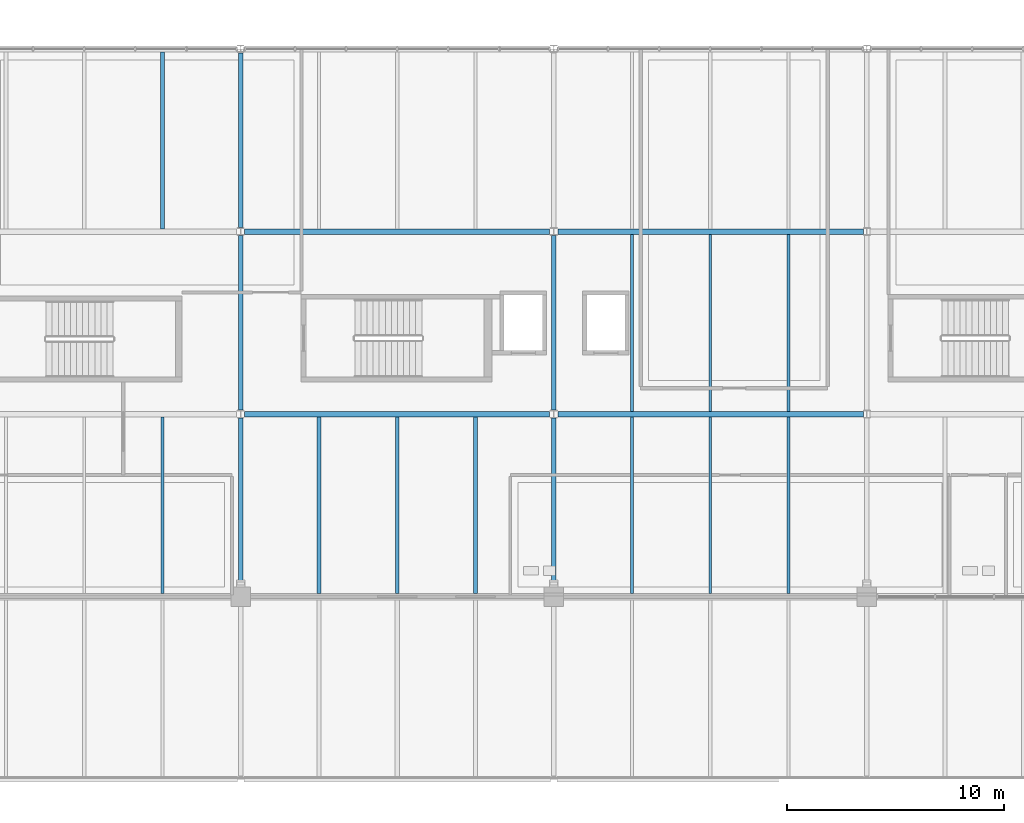
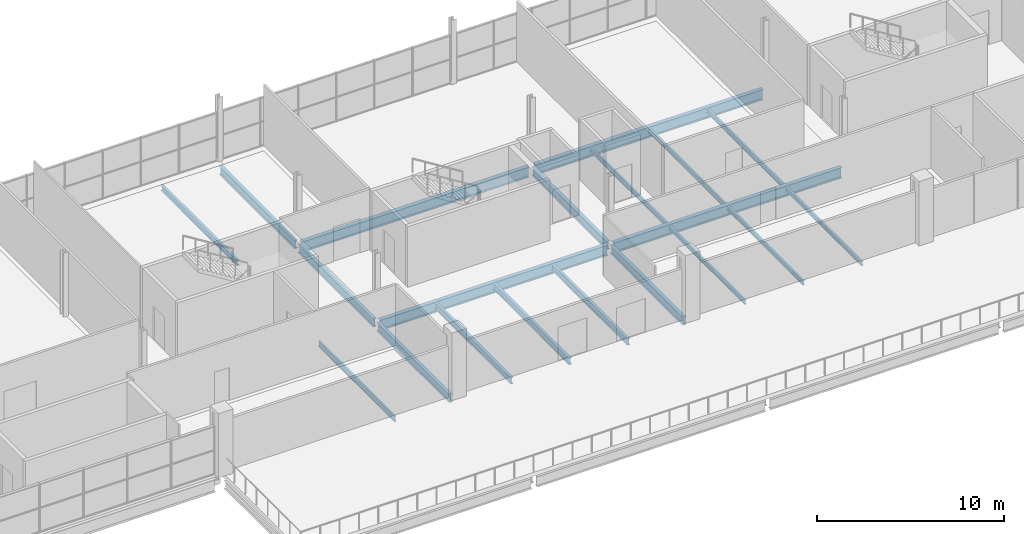
# One storey, part 50 of 93: 20 beams.
"""IFC4 building model written with IfcOpenShell, lengths in metres."""

from ifc_helpers import new_model, si_unit, direction, frame, origin, origin_2d, place, context, subcontext, project, spatial, i_section, extrude, material, material_profile, profile_set, type_object, element, save


model = new_model("IFC4")

# Units and contexts
model_context = context("Model", 3, precision=1e-05, world=origin(), true_north=direction((0.0, 1.0)))
body_context = subcontext(model_context, "Body", "Model", "MODEL_VIEW")
ifc_project = project(units=[si_unit("LENGTHUNIT", "METRE"), si_unit("AREAUNIT", "SQUARE_METRE"), si_unit("VOLUMEUNIT", "CUBIC_METRE"), si_unit("PLANEANGLEUNIT", "RADIAN"), si_unit("MASSUNIT", "GRAM", prefix="KILO"), si_unit("THERMODYNAMICTEMPERATUREUNIT", "KELVIN")], contexts=[model_context])

# Site, building, storey
site_placement = place(None, origin())
site = spatial("IfcSite", under=ifc_project, at=site_placement, CompositionType="ELEMENT")
building_placement = place(site_placement, origin())
building = spatial("IfcBuilding", under=site, at=building_placement, Name="Nduvali Passage Aquatics Centre", CompositionType="ELEMENT")
storey_placement = place(building_placement, frame((0.0, 0.0, 9.0)))
storey = spatial("IfcBuildingStorey", under=building, at=storey_placement, Name="L02", CompositionType="ELEMENT", Elevation=9.0)

# Beams
ifc_material = material(Name="Steel S355", Category="steel")
ifc_material_profile_1 = material_profile(ifc_material, i_section(OverallWidth=0.210693359375, OverallDepth=0.53955078125, WebThickness=0.01171875, FlangeThickness=0.018798828125, FilletRadius=0.0126953125, at=origin_2d()), Name="UKB 533x210x109")
ifc_profile_set_1 = profile_set([ifc_material_profile_1], Name="Steel S355")
beam_type_1 = type_object("IfcBeamType", Name="STR-BM-UKB533", PredefinedType="BEAM", material=ifc_profile_set_1)
beam_1_placement = place(storey_placement, frame((68.39990234375, 92.85009765625, -0.53369140625), z_axis=(0.0, 1.0, 0.0), x_axis=(-1.0, 0.0, 0.0)))
element("IfcBeam", 1, at=beam_1_placement, inside=storey, type_object=beam_type_1, Name="L02 Primary Y-Girder B6-0985", PredefinedType="BEAM", context=body_context, shape_type="SweptSolid", body=[
    extrude(i_section(OverallWidth=0.210693359375, OverallDepth=0.53955078125, WebThickness=0.01171875, FlangeThickness=0.018798828125, FilletRadius=0.0126953125, at=origin_2d()), origin(), (0.0, 0.0, 1.0), 7.768798828125),
])
beam_2_placement = place(storey_placement, frame((68.39990234375, 100.98095703125, -0.53369140625), z_axis=(0.0, 1.0, 0.0), x_axis=(-1.0, 0.0, 0.0)))
element("IfcBeam", 2, at=beam_2_placement, inside=storey, type_object=beam_type_1, Name="L02 Primary Y-Girder B6-0986", PredefinedType="BEAM", context=body_context, shape_type="SweptSolid", body=[
    extrude(i_section(OverallWidth=0.210693359375, OverallDepth=0.53955078125, WebThickness=0.01171875, FlangeThickness=0.018798828125, FilletRadius=0.0126953125, at=origin_2d()), origin(), (0.0, 0.0, 1.0), 8.0380859375),
])
beam_3_placement = place(storey_placement, frame((68.39990234375, 109.381103515625, -0.53369140625), z_axis=(0.0, 1.0, 0.0), x_axis=(-1.0, 0.0, 0.0)))
element("IfcBeam", 3, at=beam_3_placement, inside=storey, type_object=beam_type_1, Name="L02 Primary Y-Girder B6-0987", PredefinedType="BEAM", context=body_context, shape_type="SweptSolid", body=[
    extrude(i_section(OverallWidth=0.210693359375, OverallDepth=0.53955078125, WebThickness=0.01171875, FlangeThickness=0.018798828125, FilletRadius=0.0126953125, at=origin_2d()), origin(), (0.0, 0.0, 1.0), 8.037841796875),
])
beam_4_placement = place(storey_placement, frame((82.800048828125, 92.85009765625, -0.53369140625), z_axis=(0.0, 1.0, 0.0), x_axis=(-1.0, 0.0, 0.0)))
element("IfcBeam", 4, at=beam_4_placement, inside=storey, type_object=beam_type_1, Name="L02 Primary Y-Girder B6-0990", PredefinedType="BEAM", context=body_context, shape_type="SweptSolid", body=[
    extrude(i_section(OverallWidth=0.210693359375, OverallDepth=0.53955078125, WebThickness=0.01171875, FlangeThickness=0.018798828125, FilletRadius=0.0126953125, at=origin_2d()), origin(), (0.0, 0.0, 1.0), 7.768798828125),
])
beam_5_placement = place(storey_placement, frame((82.800048828125, 100.98095703125, -0.53369140625), z_axis=(0.0, 1.0, 0.0), x_axis=(-1.0, 0.0, 0.0)))
element("IfcBeam", 5, at=beam_5_placement, inside=storey, type_object=beam_type_1, Name="L02 Primary Y-Girder B6-0991", PredefinedType="BEAM", context=body_context, shape_type="SweptSolid", body=[
    extrude(i_section(OverallWidth=0.210693359375, OverallDepth=0.53955078125, WebThickness=0.01171875, FlangeThickness=0.018798828125, FilletRadius=0.0126953125, at=origin_2d()), origin(), (0.0, 0.0, 1.0), 8.0380859375),
])
ifc_material_profile_2 = material_profile(ifc_material, i_section(OverallWidth=0.253662109375, OverallDepth=0.68359375, WebThickness=0.012451171875, FlangeThickness=0.01904296875, FilletRadius=0.01513671875, at=origin_2d()), Name="UKB 686x254x140")
ifc_profile_set_2 = profile_set([ifc_material_profile_2], Name="Steel S355")
beam_type_2 = type_object("IfcBeamType", Name="STR-BM-UKB686", PredefinedType="BEAM", material=ifc_profile_set_2)
beam_6_placement = place(storey_placement, frame((68.585205078125, 100.800048828125, -0.605712890625), z_axis=(1.0, 0.0, 0.0), x_axis=(0.0, 1.0, 0.0)))
element("IfcBeam", 6, at=beam_6_placement, inside=storey, type_object=beam_type_2, Name="L02 Primary X-Girder B4-0934", PredefinedType="BEAM", context=body_context, shape_type="SweptSolid", body=[
    extrude(i_section(OverallWidth=0.253662109375, OverallDepth=0.68359375, WebThickness=0.012451171875, FlangeThickness=0.01904296875, FilletRadius=0.01513671875, at=origin_2d()), origin(), (0.0, 0.0, 1.0), 14.029541015625),
])
beam_7_placement = place(storey_placement, frame((82.985107421875, 100.800048828125, -0.605712890625), z_axis=(1.0, 0.0, 0.0), x_axis=(0.0, 1.0, 0.0)))
element("IfcBeam", 7, at=beam_7_placement, inside=storey, type_object=beam_type_2, Name="L02 Primary X-Girder B4-0935", PredefinedType="BEAM", context=body_context, shape_type="SweptSolid", body=[
    extrude(i_section(OverallWidth=0.253662109375, OverallDepth=0.68359375, WebThickness=0.012451171875, FlangeThickness=0.01904296875, FilletRadius=0.01513671875, at=origin_2d()), origin(), (0.0, 0.0, 1.0), 14.060302734375),
])
beam_8_placement = place(storey_placement, frame((68.585205078125, 109.199951171875, -0.605712890625), z_axis=(1.0, 0.0, 0.0), x_axis=(0.0, 1.0, 0.0)))
element("IfcBeam", 8, at=beam_8_placement, inside=storey, type_object=beam_type_2, Name="L02 Primary X-Girder B4-0940", PredefinedType="BEAM", context=body_context, shape_type="SweptSolid", body=[
    extrude(i_section(OverallWidth=0.253662109375, OverallDepth=0.68359375, WebThickness=0.012451171875, FlangeThickness=0.01904296875, FilletRadius=0.01513671875, at=origin_2d()), origin(), (0.0, 0.0, 1.0), 14.029541015625),
])
beam_9_placement = place(storey_placement, frame((82.985107421875, 109.199951171875, -0.605712890625), z_axis=(1.0, 0.0, 0.0), x_axis=(0.0, 1.0, 0.0)))
element("IfcBeam", 9, at=beam_9_placement, inside=storey, type_object=beam_type_2, Name="L02 Primary X-Girder B4-0941", PredefinedType="BEAM", context=body_context, shape_type="SweptSolid", body=[
    extrude(i_section(OverallWidth=0.253662109375, OverallDepth=0.68359375, WebThickness=0.012451171875, FlangeThickness=0.01904296875, FilletRadius=0.01513671875, at=origin_2d()), origin(), (0.0, 0.0, 1.0), 14.060302734375),
])
ifc_material_profile_3 = material_profile(ifc_material, i_section(OverallWidth=0.135009765625, OverallDepth=0.27001953125, WebThickness=0.006591796875, FlangeThickness=0.01025390625, FilletRadius=0.014892578125, at=origin_2d()), Name="IPE 270")
ifc_profile_set_3 = profile_set([ifc_material_profile_3], Name="Steel S355")
beam_type_3 = type_object("IfcBeamType", Name="STR-JST-IPE270", PredefinedType="JOIST", material=ifc_profile_set_3)
for number, where, z_axis, x_axis, name in (
    (10, (86.39990234375, 92.546142578125, -0.39892578125), (0.0, 1.0, 0.0), (-1.0, 0.0, 0.0), "L02 Secondary Joist J8-1167"),
    (11, (90.0, 92.546142578125, -0.39892578125), (0.0, 1.0, 0.0), (-1.0, 0.0, 0.0), "L02 Secondary Joist J8-1168"),
    (12, (93.60009765625, 92.546142578125, -0.39892578125), (0.0, 1.0, 0.0), (-1.0, 0.0, 0.0), "L02 Secondary Joist J8-1169"),
):
    element("IfcBeam", number, at=place(storey_placement, frame(where, z_axis=z_axis, x_axis=x_axis)), inside=storey, type_object=beam_type_3, Name=name, PredefinedType="JOIST", context=body_context, shape_type="SweptSolid", body=[
        extrude(i_section(OverallWidth=0.135009765625, OverallDepth=0.27001953125, WebThickness=0.006591796875, FlangeThickness=0.01025390625, FilletRadius=0.014892578125, at=origin_2d()), origin(), (0.0, 0.0, 1.0), 8.126953125),
    ])
ifc_material_profile_4 = material_profile(ifc_material, i_section(OverallWidth=0.124267578125, OverallDepth=0.30712890625, WebThickness=0.008056640625, FlangeThickness=0.01220703125, FilletRadius=0.0087890625, at=origin_2d()), Name="UKB 305x127x42")
ifc_profile_set_4 = profile_set([ifc_material_profile_4], Name="Steel S355")
beam_type_4 = type_object("IfcBeamType", Name="STR-JST-UKB305L", PredefinedType="JOIST", material=ifc_profile_set_4)
for number, where, z_axis, x_axis, name in (
    (13, (86.39990234375, 100.9267578125, -0.41748046875), (0.0, 1.0, 0.0), (-1.0, 0.0, 0.0), "L02 Secondary Joist J3A-1179"),
    (14, (90.0, 100.9267578125, -0.41748046875), (0.0, 1.0, 0.0), (-1.0, 0.0, 0.0), "L02 Secondary Joist J3A-1180"),
    (15, (93.60009765625, 100.9267578125, -0.41748046875), (0.0, 1.0, 0.0), (-1.0, 0.0, 0.0), "L02 Secondary Joist J3A-1181"),
):
    element("IfcBeam", number, at=place(storey_placement, frame(where, z_axis=z_axis, x_axis=x_axis)), inside=storey, type_object=beam_type_4, Name=name, PredefinedType="JOIST", context=body_context, shape_type="SweptSolid", body=[
        extrude(i_section(OverallWidth=0.124267578125, OverallDepth=0.30712890625, WebThickness=0.008056640625, FlangeThickness=0.01220703125, FilletRadius=0.0087890625, at=origin_2d()), origin(), (0.0, 0.0, 1.0), 8.146484375),
    ])
ifc_material_profile_5 = material_profile(ifc_material, i_section(OverallWidth=0.172119140625, OverallDepth=0.35791015625, WebThickness=0.008056640625, FlangeThickness=0.012939453125, FilletRadius=0.01025390625, at=origin_2d()), Name="UKB 356x171x57")
ifc_profile_set_5 = profile_set([ifc_material_profile_5], Name="Steel S355")
beam_type_5 = type_object("IfcBeamType", Name="STR-JST-UKB356", PredefinedType="JOIST", material=ifc_profile_set_5)
beam_10_placement = place(storey_placement, frame((64.800048828125, 109.326904296875, -0.443115234375), z_axis=(0.0, 1.0, 0.0), x_axis=(-1.0, 0.0, 0.0)))
element("IfcBeam", 16, at=beam_10_placement, inside=storey, type_object=beam_type_5, Name="L02 Secondary Joist J2-1188", PredefinedType="JOIST", context=body_context, shape_type="SweptSolid", body=[
    extrude(i_section(OverallWidth=0.172119140625, OverallDepth=0.35791015625, WebThickness=0.008056640625, FlangeThickness=0.012939453125, FilletRadius=0.01025390625, at=origin_2d()), origin(), (0.0, 0.0, 1.0), 8.139892578125),
])
ifc_material_profile_6 = material_profile(ifc_material, i_section(OverallWidth=0.1259765625, OverallDepth=0.353515625, WebThickness=0.006591796875, FlangeThickness=0.0107421875, FilletRadius=0.01025390625, at=origin_2d()), Name="UKB 356x127x39")
ifc_profile_set_6 = profile_set([ifc_material_profile_6], Name="Steel S355")
beam_type_6 = type_object("IfcBeamType", Name="STR-JST-UKB356L", PredefinedType="JOIST", material=ifc_profile_set_6)
beam_11_placement = place(storey_placement, frame((64.800048828125, 92.546142578125, -0.440673828125), z_axis=(0.0, 1.0, 0.0), x_axis=(-1.0, 0.0, 0.0)))
element("IfcBeam", 17, at=beam_11_placement, inside=storey, type_object=beam_type_6, Name="L02 Secondary Joist J2A-1163", PredefinedType="JOIST", context=body_context, shape_type="SweptSolid", body=[
    extrude(i_section(OverallWidth=0.1259765625, OverallDepth=0.353515625, WebThickness=0.006591796875, FlangeThickness=0.0107421875, FilletRadius=0.01025390625, at=origin_2d()), origin(), (0.0, 0.0, 1.0), 8.126953125),
])
ifc_material_profile_7 = material_profile(ifc_material, i_section(OverallWidth=0.1787109375, OverallDepth=0.409423828125, WebThickness=0.0087890625, FlangeThickness=0.014404296875, FilletRadius=0.01025390625, at=origin_2d()), Name="UKB 406x178x67")
ifc_profile_set_7 = profile_set([ifc_material_profile_7], Name="Steel S355")
beam_type_7 = type_object("IfcBeamType", Name="STR-JST-UKB406", PredefinedType="JOIST", material=ifc_profile_set_7)
for number, where, z_axis, x_axis, name in (
    (18, (72.0, 92.546142578125, -0.46875), (0.0, 1.0, 0.0), (-1.0, 0.0, 0.0), "L02 Secondary Joist J1-1164"),
    (19, (75.60009765625, 92.546142578125, -0.46875), (0.0, 1.0, 0.0), (-1.0, 0.0, 0.0), "L02 Secondary Joist J1-1165"),
    (20, (79.199951171875, 92.546142578125, -0.46875), (0.0, 1.0, 0.0), (-1.0, 0.0, 0.0), "L02 Secondary Joist J1-1166"),
):
    element("IfcBeam", number, at=place(storey_placement, frame(where, z_axis=z_axis, x_axis=x_axis)), inside=storey, type_object=beam_type_7, Name=name, PredefinedType="JOIST", context=body_context, shape_type="SweptSolid", body=[
        extrude(i_section(OverallWidth=0.1787109375, OverallDepth=0.409423828125, WebThickness=0.0087890625, FlangeThickness=0.014404296875, FilletRadius=0.01025390625, at=origin_2d()), origin(), (0.0, 0.0, 1.0), 8.126953125),
    ])

save(model, "model.ifc")
